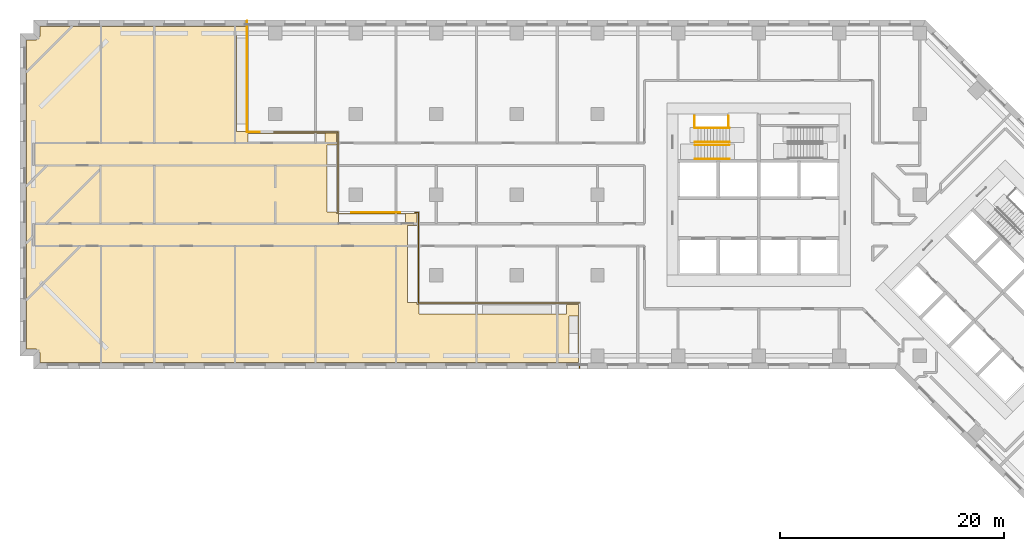
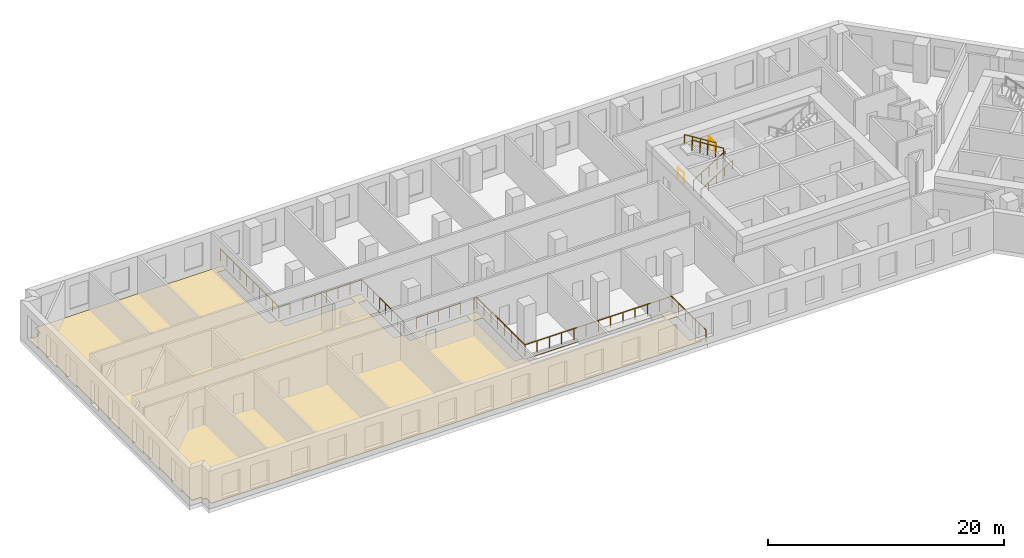
# One storey, part 10 of 12: 10 railings, 1 covering.
"""IFC4 building model written with IfcOpenShell, lengths in metres."""

from ifc_helpers import new_model, si_unit, direction, frame, origin, origin_2d, place, context, subcontext, project, spatial, polyline, circle, outline, extrude, material, layer, layer_set, type_object, element, save


model = new_model("IFC4")

# Units and contexts
model_context = context("Model", 3, precision=1e-05, world=origin(), true_north=direction((0.0, 1.0)))
body_context = subcontext(model_context, "Body", "Model", "MODEL_VIEW")
ifc_project = project(units=[si_unit("LENGTHUNIT", "METRE"), si_unit("AREAUNIT", "SQUARE_METRE"), si_unit("VOLUMEUNIT", "CUBIC_METRE"), si_unit("PLANEANGLEUNIT", "RADIAN"), si_unit("MASSUNIT", "GRAM", prefix="KILO")], contexts=[model_context])

# Site, building, storey
site_placement = place(None, origin())
site = spatial("IfcSite", under=ifc_project, at=site_placement, CompositionType="ELEMENT")
building_placement = place(site_placement, origin())
building = spatial("IfcBuilding", under=site, at=building_placement, Name="Windrow Commons", CompositionType="ELEMENT")
storey_placement = place(building_placement, frame((0.0, 0.0, 22.8)))
storey = spatial("IfcBuildingStorey", under=building, at=storey_placement, Name="L05", CompositionType="ELEMENT", Elevation=22.8)

# Railings
ifc_material_1 = material(Name="Steel S355", Category="steel")
railing_type_1 = type_object("IfcRailingType", Name="Core stair guard 1100", PredefinedType="GUARDRAIL", material=ifc_material_1)
railing_1_placement = place(storey_placement, frame((59.1, 62.05, 0.175)))
element("IfcRailing", 1, at=railing_1_placement, inside=storey, type_object=railing_type_1, Name="L05 ST-A1 stair guard 1", PredefinedType="GUARDRAIL", context=body_context, shape_type="SweptSolid", body=[
    extrude(circle(Radius=0.024, at=origin_2d()), frame((0.0, 0.0, 1.076), z_axis=(0.847998304, 0.0, 0.52999894), x_axis=(0.0, 1.0, 0.0)), (0.0, 0.0, 1.0), 3.6321),
    extrude(circle(Radius=0.021, at=origin_2d()), origin(), (0.0, 0.0, 1.0), 1.052),
    extrude(circle(Radius=0.021, at=origin_2d()), frame((0.77, 0.0, 0.4812)), (0.0, 0.0, 1.0), 1.052),
    extrude(circle(Radius=0.021, at=origin_2d()), frame((1.54, 0.0, 0.9625)), (0.0, 0.0, 1.0), 1.052),
    extrude(circle(Radius=0.021, at=origin_2d()), frame((2.31, 0.0, 1.4437)), (0.0, 0.0, 1.0), 1.052),
    extrude(circle(Radius=0.021, at=origin_2d()), frame((3.08, 0.0, 1.925)), (0.0, 0.0, 1.0), 1.052),
])
railing_2_placement = place(storey_placement, frame((62.18, 62.3, 2.275)))
element("IfcRailing", 2, at=railing_2_placement, inside=storey, type_object=railing_type_1, Name="L05 ST-A1 stair guard 2", PredefinedType="GUARDRAIL", context=body_context, shape_type="SweptSolid", body=[
    extrude(circle(Radius=0.024, at=origin_2d()), frame((0.0, 0.0, 1.076), z_axis=(-0.847998304, 0.0, 0.52999894), x_axis=(0.0, -1.0, 0.0)), (0.0, 0.0, 1.0), 3.6321),
    extrude(circle(Radius=0.021, at=origin_2d()), origin(), (0.0, 0.0, 1.0), 1.052),
    extrude(circle(Radius=0.021, at=origin_2d()), frame((-0.77, 0.0, 0.4813)), (0.0, 0.0, 1.0), 1.052),
    extrude(circle(Radius=0.021, at=origin_2d()), frame((-1.54, 0.0, 0.9625)), (0.0, 0.0, 1.0), 1.052),
    extrude(circle(Radius=0.021, at=origin_2d()), frame((-2.31, 0.0, 1.4438)), (0.0, 0.0, 1.0), 1.052),
    extrude(circle(Radius=0.021, at=origin_2d()), frame((-3.08, 0.0, 1.925)), (0.0, 0.0, 1.0), 1.052),
])
for number, where, name in (
    (3, (59.05, 63.6, 0.0), "L05 ST-A1 stair guard 3"),
    (4, (62.11, 63.6, 2.1), "L05 ST-A1 stair guard 4"),
):
    element("IfcRailing", number, at=place(storey_placement, frame(where)), inside=storey, type_object=railing_type_1, Name=name, PredefinedType="GUARDRAIL", context=body_context, shape_type="SweptSolid", body=[
        extrude(circle(Radius=0.024, at=origin_2d()), frame((0.0, 0.0, 1.076), z_axis=(0.0, 1.0, 0.0), x_axis=(-1.0, 0.0, 0.0)), (0.0, 0.0, 1.0), 1.03),
        extrude(circle(Radius=0.021, at=origin_2d()), origin(), (0.0, 0.0, 1.0), 1.052),
        extrude(circle(Radius=0.021, at=origin_2d()), frame((0.0, 1.03, 0.0)), (0.0, 0.0, 1.0), 1.052),
    ])
ifc_material_2 = material(Name="Steel S355", Category="steel")
railing_type_2 = type_object("IfcRailingType", Name="Core stair handrail 900", PredefinedType="HANDRAIL", material=ifc_material_2)
railing_3_placement = place(storey_placement, frame((59.1, 60.8, 0.175)))
element("IfcRailing", 5, at=railing_3_placement, inside=storey, type_object=railing_type_2, Name="L05 ST-A1 stair handrail 1", PredefinedType="HANDRAIL", context=body_context, shape_type="SweptSolid", body=[
    extrude(circle(Radius=0.024, at=origin_2d()), frame((0.0, 0.0, 0.876), z_axis=(0.847998304, 0.0, 0.52999894), x_axis=(0.0, 1.0, 0.0)), (0.0, 0.0, 1.0), 3.6321),
    extrude(circle(Radius=0.021, at=origin_2d()), origin(), (0.0, 0.0, 1.0), 0.852),
    extrude(circle(Radius=0.021, at=origin_2d()), frame((0.77, 0.0, 0.4812)), (0.0, 0.0, 1.0), 0.852),
    extrude(circle(Radius=0.021, at=origin_2d()), frame((1.54, 0.0, 0.9625)), (0.0, 0.0, 1.0), 0.852),
    extrude(circle(Radius=0.021, at=origin_2d()), frame((2.31, 0.0, 1.4437)), (0.0, 0.0, 1.0), 0.852),
    extrude(circle(Radius=0.021, at=origin_2d()), frame((3.08, 0.0, 1.925)), (0.0, 0.0, 1.0), 0.852),
])
railing_4_placement = place(storey_placement, frame((62.18, 63.55, 2.275)))
element("IfcRailing", 6, at=railing_4_placement, inside=storey, type_object=railing_type_2, Name="L05 ST-A1 stair handrail 2", PredefinedType="HANDRAIL", context=body_context, shape_type="SweptSolid", body=[
    extrude(circle(Radius=0.024, at=origin_2d()), frame((0.0, 0.0, 0.876), z_axis=(-0.847998304, 0.0, 0.52999894), x_axis=(0.0, -1.0, 0.0)), (0.0, 0.0, 1.0), 3.6321),
    extrude(circle(Radius=0.021, at=origin_2d()), origin(), (0.0, 0.0, 1.0), 0.852),
    extrude(circle(Radius=0.021, at=origin_2d()), frame((-0.77, 0.0, 0.4813)), (0.0, 0.0, 1.0), 0.852),
    extrude(circle(Radius=0.021, at=origin_2d()), frame((-1.54, 0.0, 0.9625)), (0.0, 0.0, 1.0), 0.852),
    extrude(circle(Radius=0.021, at=origin_2d()), frame((-2.31, 0.0, 1.4438)), (0.0, 0.0, 1.0), 0.852),
    extrude(circle(Radius=0.021, at=origin_2d()), frame((-3.08, 0.0, 1.925)), (0.0, 0.0, 1.0), 0.852),
])
ifc_material_3 = material(Name="Stainless steel S316 balustrade with toughened glass infill", Category="steel")
railing_type_3 = type_object("IfcRailingType", Name="Terrace guard 1200 podium", PredefinedType="BALUSTRADE", material=ifc_material_3)
railing_5_placement = place(storey_placement, frame((48.8, 42.1, 0.25)))
element("IfcRailing", 7, at=railing_5_placement, inside=storey, type_object=railing_type_3, Name="Guard TR-L05-1.1", PredefinedType="BALUSTRADE", context=body_context, shape_type="SweptSolid", body=[
    extrude(circle(Radius=0.025, at=origin_2d()), frame((0.0, 0.0, 1.175), z_axis=(0.0, 1.0, 0.0), x_axis=(-1.0, 0.0, 0.0)), (0.0, 0.0, 1.0), 5.8),
    extrude(circle(Radius=0.025, at=origin_2d()), frame((0.0, 5.8, 1.175), z_axis=(-1.0, 0.0, 0.0), x_axis=(0.0, -1.0, 0.0)), (0.0, 0.0, 1.0), 14.4),
    extrude(circle(Radius=0.025, at=origin_2d()), frame((-14.4, 5.8, 1.175), z_axis=(0.0, 1.0, 0.0), x_axis=(-1.0, 0.0, 0.0)), (0.0, 0.0, 1.0), 8.1),
    extrude(circle(Radius=0.025, at=origin_2d()), frame((-14.4, 13.9, 1.175), z_axis=(-1.0, 0.0, 0.0), x_axis=(0.0, -1.0, 0.0)), (0.0, 0.0, 1.0), 0.325),
    extrude(circle(Radius=0.02, at=origin_2d()), origin(), (0.0, 0.0, 1.0), 1.15),
    extrude(circle(Radius=0.02, at=origin_2d()), frame((0.0, 1.16, 0.0)), (0.0, 0.0, 1.0), 1.15),
    extrude(circle(Radius=0.02, at=origin_2d()), frame((0.0, 2.32, 0.0)), (0.0, 0.0, 1.0), 1.15),
    extrude(circle(Radius=0.02, at=origin_2d()), frame((0.0, 3.48, 0.0)), (0.0, 0.0, 1.0), 1.15),
    extrude(circle(Radius=0.02, at=origin_2d()), frame((0.0, 4.64, 0.0)), (0.0, 0.0, 1.0), 1.15),
    extrude(circle(Radius=0.02, at=origin_2d()), frame((0.0, 5.8, 0.0)), (0.0, 0.0, 1.0), 1.15),
    extrude(circle(Radius=0.02, at=origin_2d()), frame((-1.2, 5.8, 0.0)), (0.0, 0.0, 1.0), 1.15),
    extrude(circle(Radius=0.02, at=origin_2d()), frame((-2.4, 5.8, 0.0)), (0.0, 0.0, 1.0), 1.15),
    extrude(circle(Radius=0.02, at=origin_2d()), frame((-3.6, 5.8, 0.0)), (0.0, 0.0, 1.0), 1.15),
    extrude(circle(Radius=0.02, at=origin_2d()), frame((-4.8, 5.8, 0.0)), (0.0, 0.0, 1.0), 1.15),
    extrude(circle(Radius=0.02, at=origin_2d()), frame((-6.0, 5.8, 0.0)), (0.0, 0.0, 1.0), 1.15),
    extrude(circle(Radius=0.02, at=origin_2d()), frame((-7.2, 5.8, 0.0)), (0.0, 0.0, 1.0), 1.15),
    extrude(circle(Radius=0.02, at=origin_2d()), frame((-8.4, 5.8, 0.0)), (0.0, 0.0, 1.0), 1.15),
    extrude(circle(Radius=0.02, at=origin_2d()), frame((-9.6, 5.8, 0.0)), (0.0, 0.0, 1.0), 1.15),
    extrude(circle(Radius=0.02, at=origin_2d()), frame((-10.8, 5.8, 0.0)), (0.0, 0.0, 1.0), 1.15),
    extrude(circle(Radius=0.02, at=origin_2d()), frame((-12.0, 5.8, 0.0)), (0.0, 0.0, 1.0), 1.15),
    extrude(circle(Radius=0.02, at=origin_2d()), frame((-13.2, 5.8, 0.0)), (0.0, 0.0, 1.0), 1.15),
    extrude(circle(Radius=0.02, at=origin_2d()), frame((-14.4, 5.8, 0.0)), (0.0, 0.0, 1.0), 1.15),
    extrude(circle(Radius=0.02, at=origin_2d()), frame((-14.4, 6.9571, 0.0)), (0.0, 0.0, 1.0), 1.15),
    extrude(circle(Radius=0.02, at=origin_2d()), frame((-14.4, 8.1143, 0.0)), (0.0, 0.0, 1.0), 1.15),
    extrude(circle(Radius=0.02, at=origin_2d()), frame((-14.4, 9.2714, 0.0)), (0.0, 0.0, 1.0), 1.15),
    extrude(circle(Radius=0.02, at=origin_2d()), frame((-14.4, 10.4286, 0.0)), (0.0, 0.0, 1.0), 1.15),
    extrude(circle(Radius=0.02, at=origin_2d()), frame((-14.4, 11.5857, 0.0)), (0.0, 0.0, 1.0), 1.15),
    extrude(circle(Radius=0.02, at=origin_2d()), frame((-14.4, 12.7429, 0.0)), (0.0, 0.0, 1.0), 1.15),
    extrude(circle(Radius=0.02, at=origin_2d()), frame((-14.4, 13.9, 0.0)), (0.0, 0.0, 1.0), 1.15),
    extrude(circle(Radius=0.02, at=origin_2d()), frame((-14.725, 13.9, 0.0)), (0.0, 0.0, 1.0), 1.15),
])
railing_6_placement = place(storey_placement, frame((32.775, 56.0, 0.25)))
element("IfcRailing", 8, at=railing_6_placement, inside=storey, type_object=railing_type_3, Name="Guard TR-L05-1.1", PredefinedType="BALUSTRADE", context=body_context, shape_type="SweptSolid", body=[
    extrude(circle(Radius=0.025, at=origin_2d()), frame((0.0, 0.0, 1.175), z_axis=(-1.0, 0.0, 0.0), x_axis=(0.0, -1.0, 0.0)), (0.0, 0.0, 1.0), 4.3408),
    extrude(circle(Radius=0.02, at=origin_2d()), origin(), (0.0, 0.0, 1.0), 1.15),
    extrude(circle(Radius=0.02, at=origin_2d()), frame((-1.0852, 0.0, 0.0)), (0.0, 0.0, 1.0), 1.15),
    extrude(circle(Radius=0.02, at=origin_2d()), frame((-2.1704, 0.0, 0.0)), (0.0, 0.0, 1.0), 1.15),
    extrude(circle(Radius=0.02, at=origin_2d()), frame((-3.2556, 0.0, 0.0)), (0.0, 0.0, 1.0), 1.15),
    extrude(circle(Radius=0.02, at=origin_2d()), frame((-4.3408, 0.0, 0.0)), (0.0, 0.0, 1.0), 1.15),
])
railing_7_placement = place(storey_placement, frame((27.2, 56.0, 0.25)))
element("IfcRailing", 9, at=railing_7_placement, inside=storey, type_object=railing_type_3, Name="Guard TR-L05-1.1", PredefinedType="BALUSTRADE", context=body_context, shape_type="SweptSolid", body=[
    extrude(circle(Radius=0.025, at=origin_2d()), frame((0.0, 0.0, 1.175), z_axis=(0.0, 1.0, 0.0), x_axis=(-1.0, 0.0, 0.0)), (0.0, 0.0, 1.0), 7.2),
    extrude(circle(Radius=0.025, at=origin_2d()), frame((0.0, 7.2, 1.175), z_axis=(-1.0, 0.0, 0.0), x_axis=(0.0, -1.0, 0.0)), (0.0, 0.0, 1.0), 5.7125),
    extrude(circle(Radius=0.02, at=origin_2d()), origin(), (0.0, 0.0, 1.0), 1.15),
    extrude(circle(Radius=0.02, at=origin_2d()), frame((0.0, 1.0286, 0.0)), (0.0, 0.0, 1.0), 1.15),
    extrude(circle(Radius=0.02, at=origin_2d()), frame((0.0, 2.0571, 0.0)), (0.0, 0.0, 1.0), 1.15),
    extrude(circle(Radius=0.02, at=origin_2d()), frame((0.0, 3.0857, 0.0)), (0.0, 0.0, 1.0), 1.15),
    extrude(circle(Radius=0.02, at=origin_2d()), frame((0.0, 4.1143, 0.0)), (0.0, 0.0, 1.0), 1.15),
    extrude(circle(Radius=0.02, at=origin_2d()), frame((0.0, 5.1429, 0.0)), (0.0, 0.0, 1.0), 1.15),
    extrude(circle(Radius=0.02, at=origin_2d()), frame((0.0, 6.1714, 0.0)), (0.0, 0.0, 1.0), 1.15),
    extrude(circle(Radius=0.02, at=origin_2d()), frame((0.0, 7.2, 0.0)), (0.0, 0.0, 1.0), 1.15),
    extrude(circle(Radius=0.02, at=origin_2d()), frame((-1.1425, 7.2, 0.0)), (0.0, 0.0, 1.0), 1.15),
    extrude(circle(Radius=0.02, at=origin_2d()), frame((-2.285, 7.2, 0.0)), (0.0, 0.0, 1.0), 1.15),
    extrude(circle(Radius=0.02, at=origin_2d()), frame((-3.4275, 7.2, 0.0)), (0.0, 0.0, 1.0), 1.15),
    extrude(circle(Radius=0.02, at=origin_2d()), frame((-4.57, 7.2, 0.0)), (0.0, 0.0, 1.0), 1.15),
    extrude(circle(Radius=0.02, at=origin_2d()), frame((-5.7125, 7.2, 0.0)), (0.0, 0.0, 1.0), 1.15),
])
railing_8_placement = place(storey_placement, frame((20.1875, 63.2, 0.25)))
element("IfcRailing", 10, at=railing_8_placement, inside=storey, type_object=railing_type_3, Name="Guard TR-L05-1.1", PredefinedType="BALUSTRADE", context=body_context, shape_type="SweptSolid", body=[
    extrude(circle(Radius=0.025, at=origin_2d()), frame((0.0, 0.0, 1.175), z_axis=(-1.0, 0.0, 0.0), x_axis=(0.0, -1.0, 0.0)), (0.0, 0.0, 1.0), 1.0875),
    extrude(circle(Radius=0.025, at=origin_2d()), frame((-1.0875, 0.0, 1.175), z_axis=(0.0, 1.0, 0.0), x_axis=(-1.0, 0.0, 0.0)), (0.0, 0.0, 1.0), 9.9),
    extrude(circle(Radius=0.02, at=origin_2d()), origin(), (0.0, 0.0, 1.0), 1.15),
    extrude(circle(Radius=0.02, at=origin_2d()), frame((-1.0875, 0.0, 0.0)), (0.0, 0.0, 1.0), 1.15),
    extrude(circle(Radius=0.02, at=origin_2d()), frame((-1.0875, 1.1, 0.0)), (0.0, 0.0, 1.0), 1.15),
    extrude(circle(Radius=0.02, at=origin_2d()), frame((-1.0875, 2.2, 0.0)), (0.0, 0.0, 1.0), 1.15),
    extrude(circle(Radius=0.02, at=origin_2d()), frame((-1.0875, 3.3, 0.0)), (0.0, 0.0, 1.0), 1.15),
    extrude(circle(Radius=0.02, at=origin_2d()), frame((-1.0875, 4.4, 0.0)), (0.0, 0.0, 1.0), 1.15),
    extrude(circle(Radius=0.02, at=origin_2d()), frame((-1.0875, 5.5, 0.0)), (0.0, 0.0, 1.0), 1.15),
    extrude(circle(Radius=0.02, at=origin_2d()), frame((-1.0875, 6.6, 0.0)), (0.0, 0.0, 1.0), 1.15),
    extrude(circle(Radius=0.02, at=origin_2d()), frame((-1.0875, 7.7, 0.0)), (0.0, 0.0, 1.0), 1.15),
    extrude(circle(Radius=0.02, at=origin_2d()), frame((-1.0875, 8.8, 0.0)), (0.0, 0.0, 1.0), 1.15),
    extrude(circle(Radius=0.02, at=origin_2d()), frame((-1.0875, 9.9, 0.0)), (0.0, 0.0, 1.0), 1.15),
])

# Covering
ifc_material_4 = material(Name="Granite pavers on waterproofing membrane", Category="masonry")
ifc_layer = layer(ifc_material_4, 0.05)
ifc_layer_set = layer_set([ifc_layer], Name="Terrace roofing 50")
covering_type = type_object("IfcCoveringType", Name="Terrace roofing 50", PredefinedType="ROOFING", material=ifc_layer_set)
covering_placement = place(storey_placement, origin())
element("IfcCovering", 11, at=covering_placement, inside=storey, type_object=covering_type, Name="Terrace roofing TR-L05-1", PredefinedType="ROOFING", context=body_context, shape_type="SweptSolid", body=[
    extrude(outline(polyline([(34.29, 55.89), (34.29, 47.79), (48.69, 47.79), (48.69, 42.6), (0.6, 42.6), (0.6, 43.475), (0.275, 43.475), (0.275, 43.8), (-0.6, 43.8), (-0.6, 71.4), (0.275, 71.4), (0.275, 71.725), (0.6, 71.725), (0.6, 72.6), (18.99, 72.6), (18.99, 63.09), (27.09, 63.09), (27.09, 55.89), (34.29, 55.89)]), holes=[polyline([(34.26, 47.95), (34.26, 54.85), (33.44, 54.85), (33.44, 47.95), (34.26, 47.95)]), polyline([(33.25, 55.86), (27.25, 55.86), (27.25, 55.04), (33.25, 55.04), (33.25, 55.86)]), polyline([(26.24, 56.05), (27.06, 56.05), (27.06, 62.05), (26.24, 62.05), (26.24, 56.05)]), polyline([(26.05, 62.24), (26.05, 63.06), (19.15, 63.06), (19.15, 62.24), (26.05, 62.24)]), polyline([(18.96, 63.25), (18.96, 71.95), (18.14, 71.95), (18.14, 63.25), (18.96, 63.25)]), polyline([(47.84, 43.25), (48.66, 43.25), (48.66, 46.75), (47.84, 46.75), (47.84, 43.25)]), polyline([(47.65, 47.76), (34.45, 47.76), (34.45, 46.94), (47.65, 46.94), (47.65, 47.76)])]), origin(), (0.0, 0.0, 1.0), 0.05),
])

save(model, "model.ifc")
